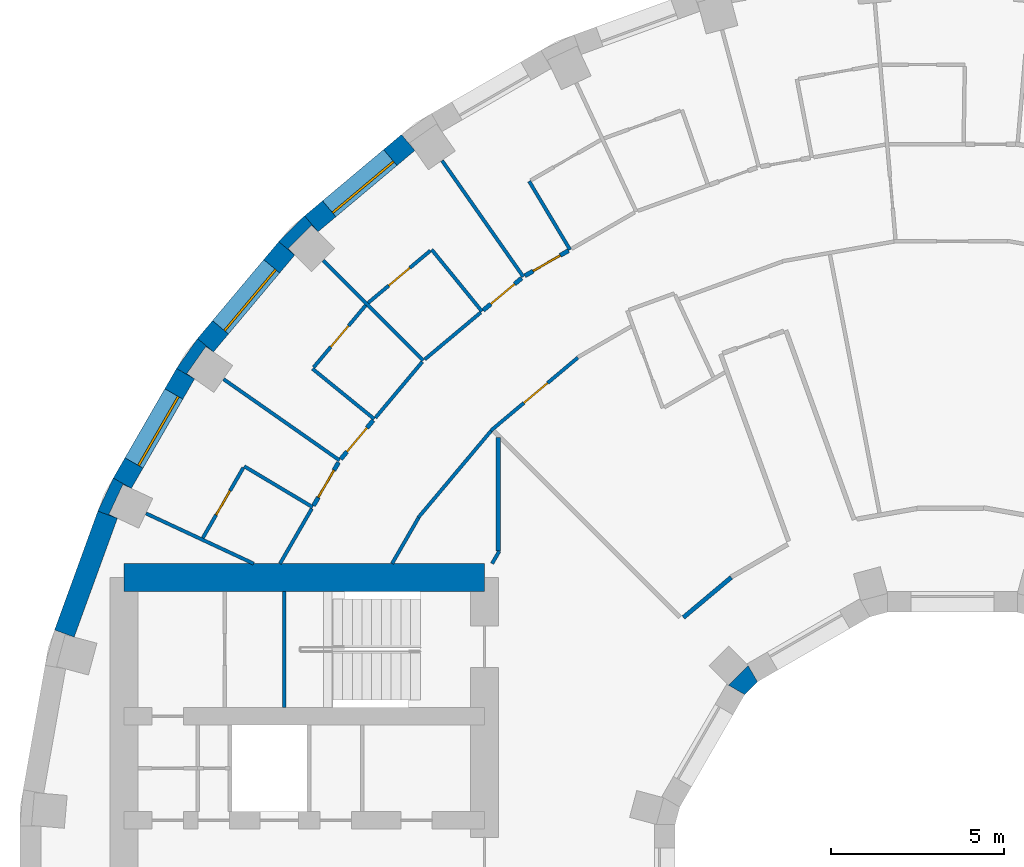
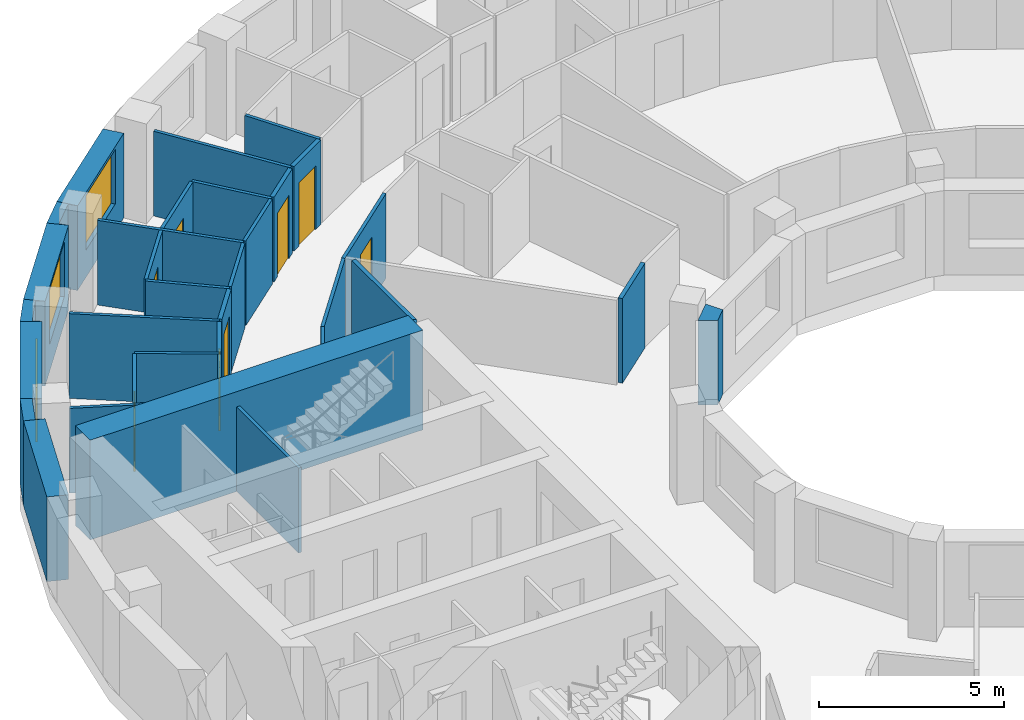
# One storey, part 9 of 14: 34 walls, 8 doors, 3 windows, 11 openings.
"""IFC4 building model written with IfcOpenShell, lengths in metres."""

from ifc_helpers import new_model, si_unit, direction, frame, frame_2d, origin, place, context, subcontext, project, spatial, polyline, rectangle, outline, extrude, material, layer, layer_set, type_object, element, fill, save


model = new_model("IFC4")

# Units and contexts
model_context = context("Model", 3, precision=1e-05, world=origin(), true_north=direction((0.0, 1.0)))
body_context = subcontext(model_context, "Body", "Model", "MODEL_VIEW")
ifc_project = project(units=[si_unit("LENGTHUNIT", "METRE"), si_unit("AREAUNIT", "SQUARE_METRE"), si_unit("VOLUMEUNIT", "CUBIC_METRE"), si_unit("PLANEANGLEUNIT", "RADIAN"), si_unit("MASSUNIT", "GRAM", prefix="KILO")], contexts=[model_context])

# Site, building, storey
site_placement = place(None, origin())
site = spatial("IfcSite", under=ifc_project, at=site_placement, CompositionType="ELEMENT")
building_placement = place(site_placement, origin())
building = spatial("IfcBuilding", under=site, at=building_placement, Name="Saqina Gate Tower", CompositionType="ELEMENT")
storey_placement = place(building_placement, frame((0.0, 0.0, 138.10009765625)))
storey = spatial("IfcBuildingStorey", under=building, at=storey_placement, Name="L39", CompositionType="ELEMENT", Elevation=138.10009765625)

# Walls
ifc_material_1 = material(Name="Brick masonry (buff)", Category="masonry")
wall_type_1 = type_object("IfcWallType", Name="BRICK PIER COPING BUFF", PredefinedType="SOLIDWALL", material=ifc_material_1)
wall_1_placement = place(storey_placement, origin())
element("IfcWall", 1, at=wall_1_placement, inside=storey, type_object=wall_type_1, Name="Pier cap L39 column 14", PredefinedType="SOLIDWALL", context=body_context, shape_type="SweptSolid", body=[
    extrude(outline(polyline([(-18.686279296875, 19.43212890625), (-19.43212890625, 18.686279296875), (-18.972412109375, 18.30078125), (-19.16259765625, 18.49072265625), (-18.49072265625, 19.16259765625), (-18.30078125, 18.972412109375), (-18.686279296875, 19.43212890625)])), origin(), (0.0, 0.0, 1.0), 2.7998046875),
])
wall_2_placement = place(storey_placement, origin())
element("IfcWall", 2, at=wall_2_placement, inside=storey, type_object=wall_type_1, Name="Pier cap L39 column 15", PredefinedType="SOLIDWALL", context=body_context, shape_type="SweptSolid", body=[
    extrude(outline(polyline([(-22.3818359375, 15.0283203125), (-21.862060546875, 14.728271484375), (-22.08251953125, 14.88232421875), (-21.53759765625, 15.66064453125), (-21.317138671875, 15.50634765625), (-21.77685546875, 15.89208984375), (-22.3818359375, 15.0283203125)])), origin(), (0.0, 0.0, 1.0), 2.7998046875),
])
wall_3_placement = place(storey_placement, origin())
element("IfcWall", 3, at=wall_3_placement, inside=storey, type_object=wall_type_1, Name="Pier cap L39 column 16", PredefinedType="SOLIDWALL", context=body_context, shape_type="SweptSolid", body=[
    extrude(outline(polyline([(-24.6513671875, 10.913330078125), (-24.08740234375, 10.7080078125), (-24.331298828125, 10.82177734375), (-23.9296875, 11.6826171875), (-23.68603515625, 11.569091796875), (-24.205810546875, 11.869140625), (-24.6513671875, 10.913330078125)])), origin(), (0.0, 0.0, 1.0), 2.7998046875),
])

# Wall, opening, window
ifc_material_2 = material(Name="Brick masonry (buff)", Category="masonry")
ifc_layer_1 = layer(ifc_material_2, 0.60009765625)
ifc_layer_set_1 = layer_set([ifc_layer_1], Name="FW-BRICK-BUFF")
wall_type_2 = type_object("IfcWallType", Name="FW-BRICK-BUFF", PredefinedType="SOLIDWALL", material=ifc_layer_set_1)
wall_4_placement = place(storey_placement, frame((-15.69921875, 21.547119140625, 0.0), z_axis=(0.0, 0.0, 1.0), x_axis=(-0.766055462616, -0.642774476932, 0.0)))
wall_4 = element("IfcWall", 4, at=wall_4_placement, inside=storey, type_object=wall_type_2, Name="Facade wall L39 facet 13", PredefinedType="SOLIDWALL", context=body_context, shape_type="SweptSolid", body=[
    extrude(rectangle(XDim=3.647705078125, YDim=0.60009765625, at=frame_2d((1.82373046875, 0.0))), origin(), (0.0, 0.0, 1.0), 2.7998046875),
])
opening_1_placement = place(wall_4_placement, frame((0.673828125, 0.0, 0.89990234375)))
opening_1 = element("IfcOpeningElement", 5, at=opening_1_placement, cuts=wall_4, Name="Opening G11-W11", PredefinedType="OPENING", context=body_context, shape_type="SweptSolid", body=[
    extrude(rectangle(XDim=2.300048828125, YDim=1.800048828125, at=frame_2d((1.14990234375, 0.89990234375))), frame((0.0, 0.31201171875, 0.0), z_axis=(0.0, -1.0, 0.0), x_axis=(1.0, 0.0, 0.0)), (0.0, 0.0, 1.0), 0.6240234375),
])
ifc_material_3 = material(Name="Aluminium glazing", Category="aluminium")
window_type = type_object("IfcWindowType", Name="WN-B", PartitioningType="SINGLE_PANEL", PredefinedType="WINDOW", material=ifc_material_3)
window_1_placement = place(opening_1_placement, origin())
window_1 = element("IfcWindow", 6, at=window_1_placement, inside=storey, type_object=window_type, Name="Window L39 facet 13", OverallHeight=1.800048828125, OverallWidth=2.300048828125, PartitioningType="SINGLE_PANEL", PredefinedType="WINDOW", context=body_context, shape_type="SweptSolid", body=[
    extrude(rectangle(XDim=2.300048828125, YDim=1.800048828125, at=frame_2d((1.14990234375, 0.89990234375))), frame((0.0, 0.179931640625, 0.0), z_axis=(0.0, -1.0, 0.0), x_axis=(1.0, 0.0, 0.0)), (0.0, 0.0, 1.0), 0.06005859375),
])
fill(opening_1, window_1)

wall_5_placement = place(storey_placement, frame((-19.202392578125, 18.49365234375, 0.0), z_axis=(0.0, 0.0, 1.0), x_axis=(-0.642774476932, -0.766055462616, 0.0)))
wall_5 = element("IfcWall", 7, at=wall_5_placement, inside=storey, type_object=wall_type_2, Name="Facade wall L39 facet 14", PredefinedType="SOLIDWALL", context=body_context, shape_type="SweptSolid", body=[
    extrude(rectangle(XDim=3.647705078125, YDim=0.60009765625, at=frame_2d((1.82373046875, 0.0))), origin(), (0.0, 0.0, 1.0), 2.7998046875),
])
opening_2_placement = place(wall_5_placement, frame((0.673828125, 0.0, 0.89990234375)))
opening_2 = element("IfcOpeningElement", 8, at=opening_2_placement, cuts=wall_5, Name="Opening G11-W12", PredefinedType="OPENING", context=body_context, shape_type="SweptSolid", body=[
    extrude(rectangle(XDim=2.300048828125, YDim=1.800048828125, at=frame_2d((1.14990234375, 0.89990234375))), frame((0.0, 0.31201171875, 0.0), z_axis=(0.0, -1.0, 0.0), x_axis=(1.0, 0.0, 0.0)), (0.0, 0.0, 1.0), 0.6240234375),
])
window_2_placement = place(opening_2_placement, origin())
window_2 = element("IfcWindow", 9, at=window_2_placement, inside=storey, type_object=window_type, Name="Window L39 facet 14", OverallHeight=1.800048828125, OverallWidth=2.300048828125, PartitioningType="SINGLE_PANEL", PredefinedType="WINDOW", context=body_context, shape_type="SweptSolid", body=[
    extrude(rectangle(XDim=2.300048828125, YDim=1.800048828125, at=frame_2d((1.14990234375, 0.89990234375))), frame((0.0, 0.179931640625, 0.0), z_axis=(0.0, -1.0, 0.0), x_axis=(1.0, 0.0, 0.0)), (0.0, 0.0, 1.0), 0.06005859375),
])
fill(opening_2, window_2)

wall_6_placement = place(storey_placement, frame((-22.1220703125, 14.878173828125, 0.0), z_axis=(0.0, 0.0, 1.0), x_axis=(-0.499954196102, -0.866051847062, 0.0)))
wall_6 = element("IfcWall", 10, at=wall_6_placement, inside=storey, type_object=wall_type_2, Name="Facade wall L39 facet 15", PredefinedType="SOLIDWALL", context=body_context, shape_type="SweptSolid", body=[
    extrude(rectangle(XDim=3.647705078125, YDim=0.60009765625, at=frame_2d((1.82373046875, 0.0))), origin(), (0.0, 0.0, 1.0), 2.7998046875),
])
opening_3_placement = place(wall_6_placement, frame((0.673828125, 0.0, 0.89990234375)))
opening_3 = element("IfcOpeningElement", 11, at=opening_3_placement, cuts=wall_6, Name="Opening G11-W13", PredefinedType="OPENING", context=body_context, shape_type="SweptSolid", body=[
    extrude(rectangle(XDim=2.300048828125, YDim=1.800048828125, at=frame_2d((1.14990234375, 0.89990234375))), frame((0.0, 0.31201171875, 0.0), z_axis=(0.0, -1.0, 0.0), x_axis=(1.0, 0.0, 0.0)), (0.0, 0.0, 1.0), 0.6240234375),
])
window_3_placement = place(opening_3_placement, origin())
window_3 = element("IfcWindow", 12, at=window_3_placement, inside=storey, type_object=window_type, Name="Window L39 facet 15", OverallHeight=1.800048828125, OverallWidth=2.300048828125, PartitioningType="SINGLE_PANEL", PredefinedType="WINDOW", context=body_context, shape_type="SweptSolid", body=[
    extrude(rectangle(XDim=2.300048828125, YDim=1.800048828125, at=frame_2d((1.14990234375, 0.89990234375))), frame((0.0, 0.179931640625, 0.0), z_axis=(0.0, -1.0, 0.0), x_axis=(1.0, 0.0, 0.0)), (0.0, 0.0, 1.0), 0.06005859375),
])
fill(opening_3, window_3)

# Walls
ifc_material_4 = material(Name="Glazed ceramic tile", Category="ceramic")
ifc_layer_2 = layer(ifc_material_4, 0.60009765625)
ifc_layer_set_2 = layer_set([ifc_layer_2], Name="FW-TILE")
wall_type_3 = type_object("IfcWallType", Name="FW-TILE", PredefinedType="SOLIDWALL", material=ifc_layer_set_2)
wall_7_placement = place(storey_placement, frame((-24.369384765625, 10.810791015625, 0.0), z_axis=(0.0, 0.0, 1.0), x_axis=(-0.341990236633, -0.939703505393, 0.0)))
element("IfcWall", 13, at=wall_7_placement, inside=storey, type_object=wall_type_3, Name="Facade wall L39 facet 16", PredefinedType="SOLIDWALL", context=body_context, shape_type="SweptSolid", body=[
    extrude(rectangle(XDim=3.64794921875, YDim=0.60009765625, at=frame_2d((1.823974609375, 0.0))), origin(), (0.0, 0.0, 1.0), 2.7998046875),
])
ifc_material_5 = material(Name="Gypsum board on steel studs, 100 mm", Category="steel")
ifc_layer_3 = layer(ifc_material_5, 0.10009765625)
ifc_layer_set_3 = layer_set([ifc_layer_3], Name="PARTITION 100")
wall_type_4 = type_object("IfcWallType", Name="PARTITION 100", PredefinedType="PARTITIONING", material=ifc_layer_set_3)
wall_8_placement = place(storey_placement, frame((-12.208984375, 20.429931640625, 0.0), z_axis=(0.0, 0.0, 1.0), x_axis=(0.512902991174, -0.858446574718, 0.0)))
element("IfcWall", 14, at=wall_8_placement, inside=storey, type_object=wall_type_4, Name="PARTITION PW3-17", PredefinedType="PARTITIONING", context=body_context, shape_type="SweptSolid", body=[
    extrude(rectangle(XDim=2.300537109375, YDim=0.10009765625, at=frame_2d((1.150390625, 0.0))), origin(), (0.0, 0.0, 1.0), 2.7998046875),
])
wall_9_placement = place(storey_placement, frame((-14.720703125, 21.023681640625, 0.0), z_axis=(0.0, 0.0, 1.0), x_axis=(0.573638785945, -0.819108383097, 0.0)))
element("IfcWall", 15, at=wall_9_placement, inside=storey, type_object=wall_type_4, Name="PARTITION PW3-18", PredefinedType="PARTITIONING", context=body_context, shape_type="SweptSolid", body=[
    extrude(rectangle(XDim=4.085693359375, YDim=0.10009765625, at=frame_2d((2.04296875, 0.0))), origin(), (0.0, 0.0, 1.0), 2.7998046875),
])
wall_10_placement = place(storey_placement, frame((-15.02197265625, 18.4599609375, 0.0), z_axis=(0.0, 0.0, 1.0), x_axis=(0.6312357633, -0.775591007639, 0.0)))
element("IfcWall", 16, at=wall_10_placement, inside=storey, type_object=wall_type_4, Name="PARTITION PW3-19", PredefinedType="PARTITIONING", context=body_context, shape_type="SweptSolid", body=[
    extrude(rectangle(XDim=2.300048828125, YDim=0.10009765625, at=frame_2d((1.14990234375, 0.0))), origin(), (0.0, 0.0, 1.0), 2.7998046875),
])
wall_11_placement = place(storey_placement, frame((-18.14794921875, 18.14794921875, 0.0), z_axis=(0.0, 0.0, 1.0), x_axis=(0.707106781187, -0.707106781187, 0.0)))
element("IfcWall", 17, at=wall_11_placement, inside=storey, type_object=wall_type_4, Name="PARTITION PW3-21", PredefinedType="PARTITIONING", context=body_context, shape_type="SweptSolid", body=[
    extrude(rectangle(XDim=4.08544921875, YDim=0.10009765625, at=frame_2d((2.042724609375, 0.0))), origin(), (0.0, 0.0, 1.0), 2.7998046875),
])
wall_12_placement = place(storey_placement, frame((-18.4599609375, 15.02197265625, 0.0), z_axis=(0.0, 0.0, 1.0), x_axis=(0.775591007639, -0.6312357633, 0.0)))
element("IfcWall", 18, at=wall_12_placement, inside=storey, type_object=wall_type_4, Name="PARTITION PW3-24", PredefinedType="PARTITIONING", context=body_context, shape_type="SweptSolid", body=[
    extrude(rectangle(XDim=2.300048828125, YDim=0.10009765625, at=frame_2d((1.14990234375, 0.0))), origin(), (0.0, 0.0, 1.0), 2.7998046875),
])
wall_13_placement = place(storey_placement, frame((-21.023681640625, 14.720703125, 0.0), z_axis=(0.0, 0.0, 1.0), x_axis=(0.819108383097, -0.573638785945, 0.0)))
element("IfcWall", 19, at=wall_13_placement, inside=storey, type_object=wall_type_4, Name="PARTITION PW3-25", PredefinedType="PARTITIONING", context=body_context, shape_type="SweptSolid", body=[
    extrude(rectangle(XDim=4.085693359375, YDim=0.10009765625, at=frame_2d((2.04296875, 0.0))), origin(), (0.0, 0.0, 1.0), 2.7998046875),
])
wall_14_placement = place(storey_placement, frame((-20.429931640625, 12.208984375, 0.0), z_axis=(0.0, 0.0, 1.0), x_axis=(0.858446574718, -0.512902991174, 0.0)))
element("IfcWall", 20, at=wall_14_placement, inside=storey, type_object=wall_type_4, Name="PARTITION PW3-26", PredefinedType="PARTITIONING", context=body_context, shape_type="SweptSolid", body=[
    extrude(rectangle(XDim=2.300537109375, YDim=0.10009765625, at=frame_2d((1.150390625, 0.0))), origin(), (0.0, 0.0, 1.0), 2.7998046875),
])
wall_15_placement = place(storey_placement, frame((-23.260009765625, 10.84716796875, 0.0), z_axis=(0.0, 0.0, 1.0), x_axis=(0.906223222272, -0.422799564114, 0.0)))
element("IfcWall", 21, at=wall_15_placement, inside=storey, type_object=wall_type_4, Name="PARTITION PW3-28", PredefinedType="PARTITIONING", context=body_context, shape_type="SweptSolid", body=[
    extrude(rectangle(XDim=3.423095703125, YDim=0.10009765625, at=frame_2d((1.71142578125, 0.0))), origin(), (0.0, 0.0, 1.0), 2.7998046875),
])

# Wall, opening, door
wall_16_placement = place(storey_placement, frame((-13.310791015625, 13.2392578125, 0.0), z_axis=(0.0, 0.0, 1.0), x_axis=(0.76586207823, 0.643004881109, 0.0)))
wall_16 = element("IfcWall", 22, at=wall_16_placement, inside=storey, type_object=wall_type_4, Name="PARTITION PW3-64", PredefinedType="PARTITIONING", context=body_context, shape_type="SweptSolid", body=[
    extrude(rectangle(XDim=3.27294921875, YDim=0.10009765625, at=frame_2d((1.636474609375, 0.0))), origin(), (0.0, 0.0, 1.0), 2.7998046875),
])
opening_4_placement = place(wall_16_placement, frame((1.23681640625, 0.0, 0.0)))
opening_4 = element("IfcOpeningElement", 23, at=opening_4_placement, cuts=wall_16, Name="Opening G11-D21", PredefinedType="OPENING", context=body_context, shape_type="SweptSolid", body=[
    extrude(rectangle(XDim=0.89990234375, YDim=2.10009765625, at=frame_2d((0.449951171875, 1.050048828125))), frame((0.0, 0.06201171875, 0.0), z_axis=(0.0, -1.0, 0.0), x_axis=(1.0, 0.0, 0.0)), (0.0, 0.0, 1.0), 0.1240234375),
])
ifc_material_6 = material(Name="Timber door leaf, 900 mm", Category="wood")
door_type_1 = type_object("IfcDoorType", Name="DOOR 900 TIMBER", OperationType="SINGLE_SWING_LEFT", PredefinedType="DOOR", material=ifc_material_6)
door_1_placement = place(opening_4_placement, frame((0.89990234375, 0.0, 0.0), z_axis=(0.0, 0.0, 1.0), x_axis=(-1.0, 0.0, 0.0)))
door_1 = element("IfcDoor", 24, at=door_1_placement, inside=storey, type_object=door_type_1, Name="DOOR G11-D21", OperationType="SINGLE_SWING_LEFT", OverallHeight=2.10009765625, OverallWidth=0.89990234375, PredefinedType="DOOR", context=body_context, shape_type="SweptSolid", body=[
    extrude(rectangle(XDim=0.89990234375, YDim=2.10009765625, at=frame_2d((0.449951171875, 1.050048828125))), frame((0.0, 0.02490234375, 0.0), z_axis=(0.0, -1.0, 0.0), x_axis=(1.0, 0.0, 0.0)), (0.0, 0.0, 1.0), 0.050048828125),
])
fill(opening_4, door_1)

# Wall
wall_17_placement = place(storey_placement, frame((-15.2197265625, 15.2919921875, 0.0), z_axis=(0.0, 0.0, 1.0), x_axis=(0.766104886508, 0.642715569181, 0.0)))
element("IfcWall", 25, at=wall_17_placement, inside=storey, type_object=wall_type_4, Name="PARTITION PW3-65", PredefinedType="PARTITIONING", context=body_context, shape_type="SweptSolid", body=[
    extrude(rectangle(XDim=2.103271484375, YDim=0.10009765625, at=frame_2d((1.0517578125, 0.0))), origin(), (0.0, 0.0, 1.0), 2.7998046875),
])

# Wall, opening, door
wall_18_placement = place(storey_placement, frame((-16.852783203125, 16.923095703125, 0.0), z_axis=(0.0, 0.0, 1.0), x_axis=(0.765924716163, 0.642930267735, 0.0)))
wall_18 = element("IfcWall", 26, at=wall_18_placement, inside=storey, type_object=wall_type_4, Name="PARTITION PW3-66", PredefinedType="PARTITIONING", context=body_context, shape_type="SweptSolid", body=[
    extrude(rectangle(XDim=2.34033203125, YDim=0.10009765625, at=frame_2d((1.170166015625, 0.0))), origin(), (0.0, 0.0, 1.0), 2.7998046875),
])
opening_5_placement = place(wall_18_placement, frame((0.77001953125, 0.0, 0.0)))
opening_5 = element("IfcOpeningElement", 27, at=opening_5_placement, cuts=wall_18, Name="Opening G11-D22", PredefinedType="OPENING", context=body_context, shape_type="SweptSolid", body=[
    extrude(rectangle(XDim=0.800048828125, YDim=2.10009765625, at=frame_2d((0.39990234375, 1.050048828125))), frame((0.0, 0.06201171875, 0.0), z_axis=(0.0, -1.0, 0.0), x_axis=(1.0, 0.0, 0.0)), (0.0, 0.0, 1.0), 0.1240234375),
])
ifc_material_7 = material(Name="Timber door leaf, 800 mm", Category="wood")
door_type_2 = type_object("IfcDoorType", Name="DOOR 800 TIMBER", OperationType="SINGLE_SWING_LEFT", PredefinedType="DOOR", material=ifc_material_7)
door_2_placement = place(opening_5_placement, origin())
door_2 = element("IfcDoor", 28, at=door_2_placement, inside=storey, type_object=door_type_2, Name="DOOR G11-D22", OperationType="SINGLE_SWING_LEFT", OverallHeight=2.10009765625, OverallWidth=0.800048828125, PredefinedType="DOOR", context=body_context, shape_type="SweptSolid", body=[
    extrude(rectangle(XDim=0.800048828125, YDim=2.10009765625, at=frame_2d((0.39990234375, 1.050048828125))), frame((0.0, 0.02490234375, 0.0), z_axis=(0.0, -1.0, 0.0), x_axis=(1.0, 0.0, 0.0)), (0.0, 0.0, 1.0), 0.050048828125),
])
fill(opening_5, door_2)

# Walls
wall_19_placement = place(storey_placement, frame((-15.40869140625, 10.72705078125, 0.0), z_axis=(0.0, 0.0, 1.0), x_axis=(0.643004881109, 0.76586207823, 0.0)))
element("IfcWall", 29, at=wall_19_placement, inside=storey, type_object=wall_type_4, Name="PARTITION PW3-69", PredefinedType="PARTITIONING", context=body_context, shape_type="SweptSolid", body=[
    extrude(rectangle(XDim=3.27294921875, YDim=0.10009765625, at=frame_2d((1.636474609375, 0.0))), origin(), (0.0, 0.0, 1.0), 2.7998046875),
])
wall_20_placement = place(storey_placement, frame((-16.643798828125, 13.6083984375, 0.0), z_axis=(0.0, 0.0, 1.0), x_axis=(0.642715569181, 0.766104886508, 0.0)))
element("IfcWall", 30, at=wall_20_placement, inside=storey, type_object=wall_type_4, Name="PARTITION PW3-70", PredefinedType="PARTITIONING", context=body_context, shape_type="SweptSolid", body=[
    extrude(rectangle(XDim=2.103271484375, YDim=0.10009765625, at=frame_2d((1.0517578125, 0.0))), origin(), (0.0, 0.0, 1.0), 2.7998046875),
])

# Wall, opening, door
wall_21_placement = place(storey_placement, frame((-18.427734375, 15.060302734375, 0.0), z_axis=(0.0, 0.0, 1.0), x_axis=(0.642930267735, 0.765924716163, 0.0)))
wall_21 = element("IfcWall", 31, at=wall_21_placement, inside=storey, type_object=wall_type_4, Name="PARTITION PW3-71", PredefinedType="PARTITIONING", context=body_context, shape_type="SweptSolid", body=[
    extrude(rectangle(XDim=2.34033203125, YDim=0.10009765625, at=frame_2d((1.170166015625, 0.0))), origin(), (0.0, 0.0, 1.0), 2.7998046875),
])
opening_6_placement = place(wall_21_placement, frame((0.77001953125, 0.0, 0.0)))
opening_6 = element("IfcOpeningElement", 32, at=opening_6_placement, cuts=wall_21, Name="Opening G11-D23", PredefinedType="OPENING", context=body_context, shape_type="SweptSolid", body=[
    extrude(rectangle(XDim=0.800048828125, YDim=2.10009765625, at=frame_2d((0.39990234375, 1.050048828125))), frame((0.0, 0.06201171875, 0.0), z_axis=(0.0, -1.0, 0.0), x_axis=(1.0, 0.0, 0.0)), (0.0, 0.0, 1.0), 0.1240234375),
])
door_3_placement = place(opening_6_placement, origin())
door_3 = element("IfcDoor", 33, at=door_3_placement, inside=storey, type_object=door_type_2, Name="DOOR G11-D23", OperationType="SINGLE_SWING_LEFT", OverallHeight=2.10009765625, OverallWidth=0.800048828125, PredefinedType="DOOR", context=body_context, shape_type="SweptSolid", body=[
    extrude(rectangle(XDim=0.800048828125, YDim=2.10009765625, at=frame_2d((0.39990234375, 1.050048828125))), frame((0.0, 0.02490234375, 0.0), z_axis=(0.0, -1.0, 0.0), x_axis=(1.0, 0.0, 0.0)), (0.0, 0.0, 1.0), 0.050048828125),
])
fill(opening_6, door_3)

# Walls
wall_22_placement = place(storey_placement, frame((-16.1640625, 9.39990234375, 0.0), z_axis=(0.0, 0.0, 1.0), x_axis=(0.499750133086, 0.866169616461, 0.0)))
element("IfcWall", 34, at=wall_22_placement, inside=storey, type_object=wall_type_4, Name="PARTITION PW3-75", PredefinedType="PARTITIONING", context=body_context, shape_type="SweptSolid", body=[
    extrude(rectangle(XDim=1.527099609375, YDim=0.10009765625, at=frame_2d((0.763671875, 0.0))), origin(), (0.0, 0.0, 1.0), 2.7998046875),
])
wall_23_placement = place(storey_placement, frame((-19.39599609375, 9.39990234375, 0.0), z_axis=(0.0, 0.0, 1.0), x_axis=(0.500210961829, 0.865903570651, 0.0)))
element("IfcWall", 35, at=wall_23_placement, inside=storey, type_object=wall_type_4, Name="PARTITION PW3-76", PredefinedType="PARTITIONING", context=body_context, shape_type="SweptSolid", body=[
    extrude(rectangle(XDim=1.831298828125, YDim=0.10009765625, at=frame_2d((0.91552734375, 0.0))), origin(), (0.0, 0.0, 1.0), 2.7998046875),
])

# Wall, opening, door
wall_24_placement = place(storey_placement, frame((-21.625, 10.139404296875, 0.0), z_axis=(0.0, 0.0, 1.0), x_axis=(0.499999433879, 0.866025730634, 0.0)))
wall_24 = element("IfcWall", 36, at=wall_24_placement, inside=storey, type_object=wall_type_4, Name="PARTITION PW3-77", PredefinedType="PARTITIONING", context=body_context, shape_type="SweptSolid", body=[
    extrude(rectangle(XDim=2.33984375, YDim=0.10009765625, at=frame_2d((1.169921875, 0.0))), origin(), (0.0, 0.0, 1.0), 2.7998046875),
])
opening_7_placement = place(wall_24_placement, frame((0.77001953125, 0.0, 0.0)))
opening_7 = element("IfcOpeningElement", 37, at=opening_7_placement, cuts=wall_24, Name="Opening G11-D26", PredefinedType="OPENING", context=body_context, shape_type="SweptSolid", body=[
    extrude(rectangle(XDim=0.800048828125, YDim=2.10009765625, at=frame_2d((0.39990234375, 1.050048828125))), frame((0.0, 0.06201171875, 0.0), z_axis=(0.0, -1.0, 0.0), x_axis=(1.0, 0.0, 0.0)), (0.0, 0.0, 1.0), 0.1240234375),
])
door_4_placement = place(opening_7_placement, origin())
door_4 = element("IfcDoor", 38, at=door_4_placement, inside=storey, type_object=door_type_2, Name="DOOR G11-D26", OperationType="SINGLE_SWING_RIGHT", OverallHeight=2.10009765625, OverallWidth=0.800048828125, PredefinedType="DOOR", context=body_context, shape_type="SweptSolid", body=[
    extrude(rectangle(XDim=0.800048828125, YDim=2.10009765625, at=frame_2d((0.39990234375, 1.050048828125))), frame((0.0, 0.02490234375, 0.0), z_axis=(0.0, -1.0, 0.0), x_axis=(1.0, 0.0, 0.0)), (0.0, 0.0, 1.0), 0.050048828125),
])
fill(opening_7, door_4)

# Wall
wall_25_placement = place(storey_placement, frame((-13.278076171875, 9.40087890625, 0.0), z_axis=(0.0, 0.0, 1.0), x_axis=(0.498991260101, 0.866607017248, 0.0)))
element("IfcWall", 39, at=wall_25_placement, inside=storey, type_object=wall_type_4, Name="PARTITION PW3-78", PredefinedType="PARTITIONING", context=body_context, shape_type="SweptSolid", body=[
    extrude(rectangle(XDim=0.414306640625, YDim=0.10009765625, at=frame_2d((0.20703125, 0.0))), origin(), (0.0, 0.0, 1.0), 2.7998046875),
])

# Wall, opening, door
ifc_material_8 = material(Name="Gypsum board on steel studs, 125 mm, fire rated", Category="steel")
ifc_layer_4 = layer(ifc_material_8, 0.125)
ifc_layer_set_4 = layer_set([ifc_layer_4], Name="PARTITION EI 30 125")
wall_type_5 = type_object("IfcWallType", Name="PARTITION EI 30 125", PredefinedType="PARTITIONING", material=ifc_layer_set_4)
wall_26_placement = place(storey_placement, frame((-12.333740234375, 17.701904296875, 0.0), z_axis=(0.0, 0.0, 1.0), x_axis=(0.866110229381, 0.499853048967, 0.0)))
wall_26 = element("IfcWall", 40, at=wall_26_placement, inside=storey, type_object=wall_type_5, Name="PARTITION PW1-33", PredefinedType="PARTITIONING", context=body_context, shape_type="SweptSolid", body=[
    extrude(rectangle(XDim=1.45654296875, YDim=0.125, at=frame_2d((0.728271484375, 0.0))), origin(), (0.0, 0.0, 1.0), 2.7998046875),
])
opening_8_placement = place(wall_26_placement, frame((0.2783203125, 0.0, 0.0)))
opening_8 = element("IfcOpeningElement", 41, at=opening_8_placement, cuts=wall_26, Name="Opening G11-D19", PredefinedType="OPENING", context=body_context, shape_type="SweptSolid", body=[
    extrude(rectangle(XDim=0.89990234375, YDim=2.10009765625, at=frame_2d((0.449951171875, 1.050048828125))), frame((0.0, 0.074462890625, 0.0), z_axis=(0.0, -1.0, 0.0), x_axis=(1.0, 0.0, 0.0)), (0.0, 0.0, 1.0), 0.14892578125),
])
ifc_material_9 = material(Name="Fire door leaf EI 30, 900 mm")
door_type_3 = type_object("IfcDoorType", Name="DOOR 900 EI 30", OperationType="SINGLE_SWING_LEFT", PredefinedType="DOOR", material=ifc_material_9)
door_5_placement = place(opening_8_placement, frame((0.89990234375, 0.0, 0.0), z_axis=(0.0, 0.0, 1.0), x_axis=(-1.0, 0.0, 0.0)))
door_5 = element("IfcDoor", 42, at=door_5_placement, inside=storey, type_object=door_type_3, Name="DOOR G11-D19", OperationType="SINGLE_SWING_RIGHT", OverallHeight=2.10009765625, OverallWidth=0.89990234375, PredefinedType="DOOR", context=body_context, shape_type="SweptSolid", body=[
    extrude(rectangle(XDim=0.89990234375, YDim=2.10009765625, at=frame_2d((0.449951171875, 1.050048828125))), frame((0.0, 0.02490234375, 0.0), z_axis=(0.0, -1.0, 0.0), x_axis=(1.0, 0.0, 0.0)), (0.0, 0.0, 1.0), 0.050048828125),
])
fill(opening_8, door_5)

# Wall
wall_27_placement = place(storey_placement, frame((-7.759033203125, 7.84619140625, 0.0), z_axis=(0.0, 0.0, 1.0), x_axis=(0.766228152444, 0.64256860988, 0.0)))
element("IfcWall", 43, at=wall_27_placement, inside=storey, type_object=wall_type_5, Name="PARTITION PW1-35", PredefinedType="PARTITIONING", context=body_context, shape_type="SweptSolid", body=[
    extrude(rectangle(XDim=1.800537109375, YDim=0.125, at=frame_2d((0.900390625, 0.0))), origin(), (0.0, 0.0, 1.0), 2.7998046875),
])

# Wall, opening, door
wall_28_placement = place(storey_placement, frame((-13.53173828125, 16.708251953125, 0.0), z_axis=(0.0, 0.0, 1.0), x_axis=(0.766167387458, 0.642641061866, 0.0)))
wall_28 = element("IfcWall", 44, at=wall_28_placement, inside=storey, type_object=wall_type_5, Name="PARTITION PW1-36", PredefinedType="PARTITIONING", context=body_context, shape_type="SweptSolid", body=[
    extrude(rectangle(XDim=1.44482421875, YDim=0.125, at=frame_2d((0.722412109375, 0.0))), origin(), (0.0, 0.0, 1.0), 2.7998046875),
])
opening_9_placement = place(wall_28_placement, frame((0.27880859375, 0.0, 0.0)))
opening_9 = element("IfcOpeningElement", 45, at=opening_9_placement, cuts=wall_28, Name="Opening G11-D20", PredefinedType="OPENING", context=body_context, shape_type="SweptSolid", body=[
    extrude(rectangle(XDim=0.89990234375, YDim=2.10009765625, at=frame_2d((0.449951171875, 1.050048828125))), frame((0.0, 0.074462890625, 0.0), z_axis=(0.0, -1.0, 0.0), x_axis=(1.0, 0.0, 0.0)), (0.0, 0.0, 1.0), 0.14892578125),
])
door_6_placement = place(opening_9_placement, frame((0.89990234375, 0.0, 0.0), z_axis=(0.0, 0.0, 1.0), x_axis=(-1.0, 0.0, 0.0)))
door_6 = element("IfcDoor", 46, at=door_6_placement, inside=storey, type_object=door_type_3, Name="DOOR G11-D20", OperationType="SINGLE_SWING_LEFT", OverallHeight=2.10009765625, OverallWidth=0.89990234375, PredefinedType="DOOR", context=body_context, shape_type="SweptSolid", body=[
    extrude(rectangle(XDim=0.89990234375, YDim=2.10009765625, at=frame_2d((0.449951171875, 1.050048828125))), frame((0.0, 0.02490234375, 0.0), z_axis=(0.0, -1.0, 0.0), x_axis=(1.0, 0.0, 0.0)), (0.0, 0.0, 1.0), 0.050048828125),
])
fill(opening_9, door_6)

wall_29_placement = place(storey_placement, frame((-17.644775390625, 12.415283203125, 0.0), z_axis=(0.0, 0.0, 1.0), x_axis=(0.642669367872, 0.766143644233, 0.0)))
wall_29 = element("IfcWall", 47, at=wall_29_placement, inside=storey, type_object=wall_type_5, Name="PARTITION PW1-39", PredefinedType="PARTITIONING", context=body_context, shape_type="SweptSolid", body=[
    extrude(rectangle(XDim=1.457275390625, YDim=0.125, at=frame_2d((0.728515625, 0.0))), origin(), (0.0, 0.0, 1.0), 2.7998046875),
])
opening_10_placement = place(wall_29_placement, frame((0.27880859375, 0.0, 0.0)))
opening_10 = element("IfcOpeningElement", 48, at=opening_10_placement, cuts=wall_29, Name="Opening G11-D24", PredefinedType="OPENING", context=body_context, shape_type="SweptSolid", body=[
    extrude(rectangle(XDim=0.89990234375, YDim=2.10009765625, at=frame_2d((0.449951171875, 1.050048828125))), frame((0.0, 0.074462890625, 0.0), z_axis=(0.0, -1.0, 0.0), x_axis=(1.0, 0.0, 0.0)), (0.0, 0.0, 1.0), 0.14892578125),
])
door_7_placement = place(opening_10_placement, frame((0.89990234375, 0.0, 0.0), z_axis=(0.0, 0.0, 1.0), x_axis=(-1.0, 0.0, 0.0)))
door_7 = element("IfcDoor", 49, at=door_7_placement, inside=storey, type_object=door_type_3, Name="DOOR G11-D24", OperationType="SINGLE_SWING_RIGHT", OverallHeight=2.10009765625, OverallWidth=0.89990234375, PredefinedType="DOOR", context=body_context, shape_type="SweptSolid", body=[
    extrude(rectangle(XDim=0.89990234375, YDim=2.10009765625, at=frame_2d((0.449951171875, 1.050048828125))), frame((0.0, 0.02490234375, 0.0), z_axis=(0.0, -1.0, 0.0), x_axis=(1.0, 0.0, 0.0)), (0.0, 0.0, 1.0), 0.050048828125),
])
fill(opening_10, door_7)

wall_30_placement = place(storey_placement, frame((-18.429931640625, 11.072265625, 0.0), z_axis=(0.0, 0.0, 1.0), x_axis=(0.499849317439, 0.866112382925, 0.0)))
wall_30 = element("IfcWall", 50, at=wall_30_placement, inside=storey, type_object=wall_type_5, Name="PARTITION PW1-42", PredefinedType="PARTITIONING", context=body_context, shape_type="SweptSolid", body=[
    extrude(rectangle(XDim=1.44384765625, YDim=0.125, at=frame_2d((0.721923828125, 0.0))), origin(), (0.0, 0.0, 1.0), 2.7998046875),
])
opening_11_placement = place(wall_30_placement, frame((0.2783203125, 0.0, 0.0)))
opening_11 = element("IfcOpeningElement", 51, at=opening_11_placement, cuts=wall_30, Name="Opening G11-D25", PredefinedType="OPENING", context=body_context, shape_type="SweptSolid", body=[
    extrude(rectangle(XDim=0.89990234375, YDim=2.10009765625, at=frame_2d((0.449951171875, 1.050048828125))), frame((0.0, 0.074462890625, 0.0), z_axis=(0.0, -1.0, 0.0), x_axis=(1.0, 0.0, 0.0)), (0.0, 0.0, 1.0), 0.14892578125),
])
door_8_placement = place(opening_11_placement, frame((0.89990234375, 0.0, 0.0), z_axis=(0.0, 0.0, 1.0), x_axis=(-1.0, 0.0, 0.0)))
door_8 = element("IfcDoor", 52, at=door_8_placement, inside=storey, type_object=door_type_3, Name="DOOR G11-D25", OperationType="SINGLE_SWING_LEFT", OverallHeight=2.10009765625, OverallWidth=0.89990234375, PredefinedType="DOOR", context=body_context, shape_type="SweptSolid", body=[
    extrude(rectangle(XDim=0.89990234375, YDim=2.10009765625, at=frame_2d((0.449951171875, 1.050048828125))), frame((0.0, 0.02490234375, 0.0), z_axis=(0.0, -1.0, 0.0), x_axis=(1.0, 0.0, 0.0)), (0.0, 0.0, 1.0), 0.050048828125),
])
fill(opening_11, door_8)

# Walls
wall_31_placement = place(storey_placement, frame((-13.10009765625, 9.760009765625, 0.0), z_axis=(0.0, 0.0, 1.0), x_axis=(0.0, 1.0, 0.0)))
element("IfcWall", 53, at=wall_31_placement, inside=storey, type_object=wall_type_5, Name="PARTITION PW1-48", PredefinedType="PARTITIONING", context=body_context, shape_type="SweptSolid", body=[
    extrude(rectangle(XDim=3.2724609375, YDim=0.125, at=frame_2d((1.63623046875, 0.0))), origin(), (0.0, 0.0, 1.0), 2.7998046875),
])
ifc_material_10 = material(Name="Autoclaved aerated concrete block", Category="concrete")
ifc_layer_5 = layer(ifc_material_10, 0.10009765625)
ifc_layer_set_5 = layer_set([ifc_layer_5], Name="STAIR ENCLOSURE WALL")
wall_type_6 = type_object("IfcWallType", Name="STAIR ENCLOSURE WALL", PredefinedType="PARTITIONING", material=ifc_layer_set_5)
wall_32_placement = place(storey_placement, frame((-19.27001953125, 5.25, 0.0), z_axis=(0.0, 0.0, 1.0), x_axis=(0.0, 1.0, 0.0)))
element("IfcWall", 54, at=wall_32_placement, inside=storey, type_object=wall_type_6, Name="L39-CP-W12", PredefinedType="PARTITIONING", context=body_context, shape_type="SweptSolid", body=[
    extrude(rectangle(XDim=3.35009765625, YDim=0.10009765625, at=frame_2d((1.675048828125, 0.0))), origin(), (0.0, 0.0, 1.0), 2.7998046875),
])
ifc_material_11 = material(Name="Concrete C70/85", Category="concrete")
ifc_layer_6 = layer(ifc_material_11, 0.800048828125)
ifc_layer_set_6 = layer_set([ifc_layer_6], Name="Concrete C70/85")
wall_type_7 = type_object("IfcWallType", Name="STR-CORE WALL-B-O", PredefinedType="SHEAR", material=ifc_layer_set_6)
wall_33_placement = place(storey_placement, frame((-13.5, 9.0, 0.0), z_axis=(0.0, 0.0, 1.0), x_axis=(-1.0, 0.0, 0.0)))
element("IfcWall", 55, at=wall_33_placement, inside=storey, type_object=wall_type_7, Name="CORE WALL L39 W-NE", PredefinedType="SHEAR", context=body_context, shape_type="SweptSolid", body=[
    extrude(rectangle(XDim=10.39990234375, YDim=0.800048828125, at=frame_2d((5.199951171875, 0.0))), origin(), (0.0, 0.0, 1.0), 3.2998046875),
])
ifc_material_12 = material(Name="Glazed ceramic tile", Category="ceramic")
wall_type_8 = type_object("IfcWallType", Name="TILE PIER COPING", PredefinedType="SOLIDWALL", material=ifc_material_12)
wall_34_placement = place(storey_placement, origin())
element("IfcWall", 56, at=wall_34_placement, inside=storey, type_object=wall_type_8, Name="Well pier cap L39 column 5", PredefinedType="SOLIDWALL", context=body_context, shape_type="SweptSolid", body=[
    extrude(outline(polyline([(-6.45751953125, 5.891845703125), (-5.991455078125, 5.622802734375), (-5.622802734375, 5.991455078125), (-5.891845703125, 6.45751953125), (-6.45751953125, 5.891845703125)])), origin(), (0.0, 0.0, 1.0), 2.7998046875),
])

save(model, "model.ifc")
